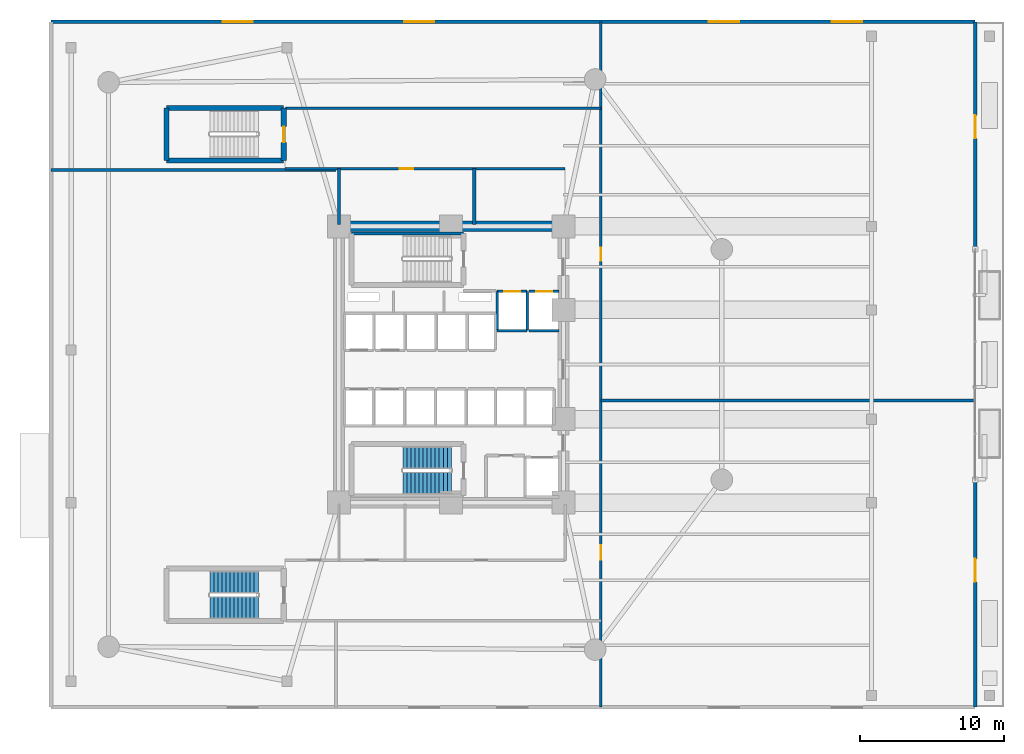
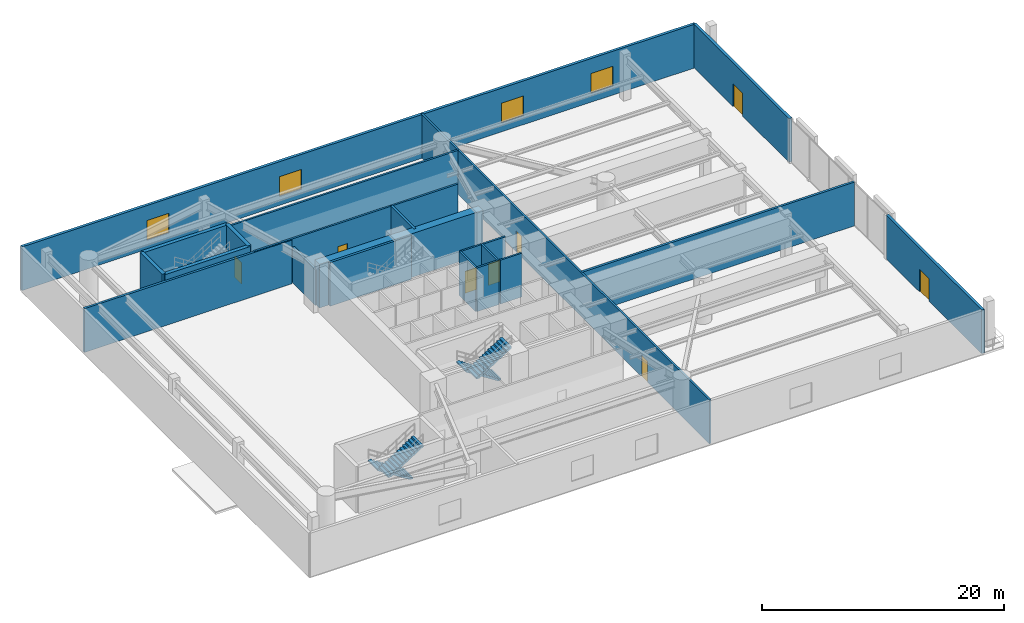
# One storey, part 7 of 11: 22 walls, 8 doors, 4 stair flights, 4 windows, 12 openings, 2 elements without a shape of their own.
"""IFC4 building model written with IfcOpenShell, lengths in metres."""

import ifcopenshell
import ifcopenshell.guid

model = None  # the IFC model being written
_history = None  # IfcOwnerHistory: only IFC2X3 demands one
_inside = {}  # id of a spatial element -> (the spatial element, [elements in it])
_under = {}  # id of a project, library or spatial element -> (it, [spatial elements below it])
_declared = {}  # id of a project -> (the project, [libraries it declares])
_typed = {}  # id of a type object -> (the type object, [elements of that type])
_made_of = {}  # id of a material, layer set ... -> (it, [elements and type objects made of it])


def new_model(schema):
    """Start an empty IFC model of exactly this schema.

    Asked for "IFC4X3", IfcOpenShell would pick the latest addendum, in which some entities
    have other attributes; the version numbers below select the first issue.
    IFC2X3 requires an IfcOwnerHistory on every rooted entity: one is made here for all.
    """
    global model, _history
    if schema == "IFC4X3":
        model = ifcopenshell.file(schema_version=(4, 3, 0, 0))
    else:
        model = ifcopenshell.file(schema=schema)
    _inside.clear()
    _under.clear()
    _declared.clear()
    _typed.clear()
    _made_of.clear()
    _history = None
    if model.schema == "IFC2X3":
        org = make("IfcOrganization", Name="unknown")
        user = make(
            "IfcPersonAndOrganization",
            ThePerson=make("IfcPerson", FamilyName="unknown"),
            TheOrganization=org,
        )
        app = make(
            "IfcApplication",
            ApplicationDeveloper=org,
            Version="unknown",
            ApplicationFullName="unknown",
            ApplicationIdentifier="unknown",
        )
        _history = make(
            "IfcOwnerHistory",
            OwningUser=user,
            OwningApplication=app,
            ChangeAction="ADDED",
            CreationDate=0,
        )
    return model


def make(cls, **values):
    """One entity of the class cls with the attributes given. An attribute that is None is left unset."""
    return model.create_entity(
        cls, **{name: value for name, value in values.items() if value is not None}
    )


def rooted(cls, **values):
    """An entity with a GlobalId (a new one), such as an element, a storey or a relation."""
    return make(cls, GlobalId=ifcopenshell.guid.new(), OwnerHistory=_history, **values)


def si_unit(unit_type, name, prefix=None):
    """IfcSIUnit, for example si_unit("LENGTHUNIT", "METRE", prefix="MILLI")."""
    return make("IfcSIUnit", UnitType=unit_type, Prefix=prefix, Name=name)


def assignment(units):
    """IfcUnitAssignment: the units of a project."""
    return None if units is None else make("IfcUnitAssignment", Units=units)


def point(xyz):
    """IfcCartesianPoint."""
    return None if xyz is None else make("IfcCartesianPoint", Coordinates=xyz)


def direction(xyz):
    """IfcDirection."""
    return None if xyz is None else make("IfcDirection", DirectionRatios=xyz)


def frame(location, z_axis=None, x_axis=None):
    """IfcAxis2Placement3D, a coordinate frame: its origin and axes. An axis left out is left unset."""
    return make(
        "IfcAxis2Placement3D",
        Location=point(location),
        Axis=direction(z_axis),
        RefDirection=direction(x_axis),
    )


def frame_2d(location, x_axis=None):
    """IfcAxis2Placement2D, a coordinate frame in the plane: its origin and x axis."""
    return make(
        "IfcAxis2Placement2D", Location=point(location), RefDirection=direction(x_axis)
    )


def origin():
    """The frame at (0, 0, 0) with its axes left unset."""
    return frame((0.0, 0.0, 0.0))


def place(relative_to, where):
    """IfcLocalPlacement: puts the frame where relative to a parent placement (None: the world)."""
    return make(
        "IfcLocalPlacement", PlacementRelTo=relative_to, RelativePlacement=where
    )


def context(
    kind, dimensions, precision=None, world=None, true_north=None, identifier=None
):
    """IfcGeometricRepresentationContext, for example the 3D "Model" context."""
    return make(
        "IfcGeometricRepresentationContext",
        ContextIdentifier=identifier,
        ContextType=kind,
        CoordinateSpaceDimension=dimensions,
        Precision=precision,
        WorldCoordinateSystem=world,
        TrueNorth=true_north,
    )


def subcontext(parent, identifier, kind, view, scale=None):
    """IfcGeometricRepresentationSubContext, for example "Body" below "Model"."""
    return make(
        "IfcGeometricRepresentationSubContext",
        ContextIdentifier=identifier,
        ContextType=kind,
        ParentContext=parent,
        TargetScale=scale,
        TargetView=view,
    )


def project(units=None, contexts=None):
    """IfcProject with its units and contexts."""
    return rooted(
        "IfcProject",
        Name="project",
        RepresentationContexts=contexts,
        UnitsInContext=assignment(units),
    )


def spatial(cls, under=None, at=None, **own):
    """A site, building, storey or space (cls), placed at a placement, below another one or the project."""
    s = rooted(cls, ObjectPlacement=at, **own)
    if under is not None:
        _under.setdefault(under.id(), (under, []))[1].append(s)
    return s


def polyline(points):
    """IfcPolyline through the points."""
    return make("IfcPolyline", Points=[point(p) for p in points])


def profile(cls, at=None, kind="AREA", **sizes):
    """A parametric profile (cls). Its sizes go by their IFC names, for example OverallWidth=200.0."""
    return make(cls, ProfileType=kind, Position=at, **sizes)


def rectangle(**sizes):
    """IfcRectangleProfileDef."""
    return profile("IfcRectangleProfileDef", **sizes)


def outline(outer, holes=None, kind="AREA"):
    """IfcArbitraryClosedProfileDef: a profile drawn as a closed curve; with holes, ...WithVoids."""
    if holes is None:
        return make("IfcArbitraryClosedProfileDef", ProfileType=kind, OuterCurve=outer)
    return make(
        "IfcArbitraryProfileDefWithVoids",
        ProfileType=kind,
        OuterCurve=outer,
        InnerCurves=holes,
    )


def extrude(swept, where, along, depth):
    """IfcExtrudedAreaSolid: the profile swept, set in the frame where, extruded along a direction by depth."""
    return make(
        "IfcExtrudedAreaSolid",
        SweptArea=swept,
        Position=where,
        ExtrudedDirection=direction(along),
        Depth=depth,
    )


def shape(context_of_items, identifier, shape_type, items):
    """IfcShapeRepresentation: the items that make up one representation, for example the "Body"."""
    return make(
        "IfcShapeRepresentation",
        ContextOfItems=context_of_items,
        RepresentationIdentifier=identifier,
        RepresentationType=shape_type,
        Items=items,
    )


def material(Name=None, Category=None):
    """IfcMaterial."""
    return make("IfcMaterial", Name=Name, Category=Category)


def layer(
    of_material, thickness, ventilated=None, Name=None, Category=None, Priority=None
):
    """IfcMaterialLayer: one layer of a wall or slab, of a material (None: an air gap)."""
    return make(
        "IfcMaterialLayer",
        Material=of_material,
        LayerThickness=thickness,
        IsVentilated=ventilated,
        Name=Name,
        Category=Category,
        Priority=Priority,
    )


def layer_set(layers, Name=None):
    """IfcMaterialLayerSet."""
    return make("IfcMaterialLayerSet", MaterialLayers=layers, LayerSetName=Name)


def made_of(thing, what):
    """Note that an element or type object is made of a material, layer set ...; save() writes the relation."""
    if what is not None:
        _made_of.setdefault(what.id(), (what, []))[1].append(thing)
    return thing


def type_object(cls, material=None, **own):
    """A type object (cls), such as IfcWallType, which elements share."""
    return made_of(rooted(cls, **own), material)


def element(
    cls,
    number,
    at=None,
    inside=None,
    cuts=None,
    type_object=None,
    material=None,
    context=None,
    identifier="Body",
    shape_type=None,
    held_by="IfcProductDefinitionShape",
    body=None,
    shapes=None,
    **own,
):
    """One element of the class cls, such as IfcWall. Its Tag is "e" and its number.

    at: its placement. inside: the storey or other place that contains it. cuts: it is an
    opening in that element (IfcRelVoidsElement). A single representation is given by context,
    identifier, shape_type and body (its items); several are given by shapes. held_by: the class
    of the entity that holds the representations. save() writes the other relations.
    """
    e = rooted(cls, Tag="e%d" % number, ObjectPlacement=at, **own)
    if body is not None:
        shapes = [shape(context, identifier, shape_type, body)]
    if shapes is not None:
        e.Representation = make(held_by, Representations=shapes)
    if inside is not None:
        _inside.setdefault(inside.id(), (inside, []))[1].append(e)
    if cuts is not None:
        rooted(
            "IfcRelVoidsElement", RelatingBuildingElement=cuts, RelatedOpeningElement=e
        )
    if type_object is not None:
        _typed.setdefault(type_object.id(), (type_object, []))[1].append(e)
    return made_of(e, material)


def fill(opening, filler):
    """IfcRelFillsElement: the door or window that sits in an opening."""
    return rooted(
        "IfcRelFillsElement",
        RelatingOpeningElement=opening,
        RelatedBuildingElement=filler,
    )


def aggregate(whole, parts):
    """IfcRelAggregates: a whole, such as a stair, and the parts it consists of."""
    return rooted("IfcRelAggregates", RelatingObject=whole, RelatedObjects=parts)


def save(model, path):
    """Write the relations noted so far, then the file.

    IfcRelAggregates (storeys below a building ...), IfcRelContainedInSpatialStructure (elements
    in a storey), IfcRelDefinesByType, IfcRelAssociatesMaterial and IfcRelDeclares: one each for
    every whole, place, type object, material and project.
    """
    for whole, parts in _under.values():
        aggregate(whole, parts)
    for where, things in _inside.values():
        rooted(
            "IfcRelContainedInSpatialStructure",
            RelatedElements=things,
            RelatingStructure=where,
        )
    for kind, things in _typed.values():
        rooted("IfcRelDefinesByType", RelatedObjects=things, RelatingType=kind)
    for what, things in _made_of.values():
        rooted("IfcRelAssociatesMaterial", RelatedObjects=things, RelatingMaterial=what)
    for by, libraries in _declared.values():
        rooted("IfcRelDeclares", RelatingContext=by, RelatedDefinitions=libraries)
    model.write(path)


model = new_model("IFC4")

# Units and contexts
model_context = context("Model", 3, precision=1e-05, world=origin(), true_north=direction((0.0, 1.0)))
body_context = subcontext(model_context, "Body", "Model", "MODEL_VIEW")
ifc_project = project(units=[si_unit("LENGTHUNIT", "METRE"), si_unit("AREAUNIT", "SQUARE_METRE"), si_unit("VOLUMEUNIT", "CUBIC_METRE"), si_unit("PLANEANGLEUNIT", "RADIAN"), si_unit("MASSUNIT", "GRAM", prefix="KILO")], contexts=[model_context])

# Site, building, storey
site_placement = place(None, origin())
site = spatial("IfcSite", under=ifc_project, at=site_placement, CompositionType="ELEMENT")
building_placement = place(site_placement, origin())
building = spatial("IfcBuilding", under=site, at=building_placement, Name="An Khanh Terracotta Commons", CompositionType="ELEMENT")
storey_placement = place(building_placement, frame((0.0, 0.0, 19.35009765625)))
storey = spatial("IfcBuildingStorey", under=building, at=storey_placement, Name="L05", CompositionType="ELEMENT", Elevation=19.35009765625)

# Wall
ifc_material_1 = material(Name="Concrete C70/85", Category="concrete")
ifc_layer_1 = layer(ifc_material_1, 0.75, Name="Concrete C70/85")
ifc_layer_set_1 = layer_set([ifc_layer_1], Name="Concrete C70/85")
wall_type_1 = type_object("IfcWallType", Name="WALL-CORE-750", PredefinedType="SHEAR", material=ifc_layer_set_1)
wall_1_placement = place(storey_placement, frame((21.60009765625, 33.60009765625, 0.0), z_axis=(0.0, 0.0, 1.0), x_axis=(1.0, 0.0, 0.0)))
element("IfcWall", 1, at=wall_1_placement, inside=storey, type_object=wall_type_1, Name="L05 Core Wall CWALL-L05-N", PredefinedType="SHEAR", context=body_context, shape_type="SweptSolid", body=[
    extrude(rectangle(XDim=15.599853515625, YDim=0.75, at=frame_2d((7.7998046875, 0.0))), origin(), (0.0, 0.0, 1.0), 4.409912109375),
])

# Wall, opening, door
ifc_material_2 = material(Name="Fire-Rated Gypsum Board on Steel Stud", Category="steel")
ifc_layer_2 = layer(ifc_material_2, 0.179931640625, Name="Fire-Rated Gypsum Board on Steel Stud")
ifc_layer_set_2 = layer_set([ifc_layer_2], Name="Fire-Rated Gypsum Board on Steel Stud")
wall_type_2 = type_object("IfcWallType", Name="WALL-CORR-180", PredefinedType="PARTITIONING", material=ifc_layer_set_2)
wall_2_placement = place(storey_placement, frame((32.60009765625, 29.080078125, 0.0), z_axis=(0.0, 0.0, 1.0), x_axis=(1.0, 0.0, 0.0)))
wall_2 = element("IfcWall", 2, at=wall_2_placement, inside=storey, type_object=wall_type_2, Name="L05 Core Wall LSH-L05-FFL-01-N", PredefinedType="PARTITIONING", context=body_context, shape_type="SweptSolid", body=[
    extrude(rectangle(XDim=2.079833984375, YDim=0.179931640625, at=frame_2d((1.0400390625, 0.0))), origin(), (0.0, 0.0, 1.0), 4.409912109375),
])
opening_1_placement = place(wall_2_placement, frame((0.489990234375, 0.0, 0.0)))
opening_1 = element("IfcOpeningElement", 3, at=opening_1_placement, cuts=wall_2, Name="Opening LD-FFL-01-L05", PredefinedType="OPENING", context=body_context, shape_type="SweptSolid", body=[
    extrude(rectangle(XDim=1.10009765625, YDim=2.199951171875, at=frame_2d((0.550048828125, 1.10009765625))), frame((0.0, 0.099853515625, 0.0), z_axis=(0.0, -1.0, 0.0), x_axis=(1.0, 0.0, 0.0)), (0.0, 0.0, 1.0), 0.199951171875),
])
ifc_material_3 = material(Name="Brushed Stainless Steel Fire Landing Door", Category="steel")
door_type_1 = type_object("IfcDoorType", Name="DOOR-LD-FFL-1100", OperationType="NOTDEFINED", PredefinedType="DOOR", material=ifc_material_3)
door_1_placement = place(opening_1_placement, origin())
door_1 = element("IfcDoor", 4, at=door_1_placement, inside=storey, type_object=door_type_1, Name="L05 Lift FFL-01 Sliding Landing Door", OperationType="DOUBLE_DOOR_SLIDING", OverallHeight=2.199951171875, OverallWidth=1.10009765625, PredefinedType="DOOR", context=body_context, shape_type="SweptSolid", body=[
    extrude(rectangle(XDim=1.10009765625, YDim=2.199951171875, at=frame_2d((0.550048828125, 1.10009765625))), frame((0.0, 0.02490234375, 0.0), z_axis=(0.0, -1.0, 0.0), x_axis=(1.0, 0.0, 0.0)), (0.0, 0.0, 1.0), 0.050048828125),
])
fill(opening_1, door_1)

# Walls
wall_3_placement = place(storey_placement, frame((34.679931640625, 26.35009765625, 0.0), z_axis=(0.0, 0.0, 1.0), x_axis=(-1.0, 0.0, 0.0)))
element("IfcWall", 5, at=wall_3_placement, inside=storey, type_object=wall_type_2, Name="L05 Core Wall LSH-L05-FFL-01-S", PredefinedType="PARTITIONING", context=body_context, shape_type="SweptSolid", body=[
    extrude(rectangle(XDim=2.079833984375, YDim=0.179931640625, at=frame_2d((1.0400390625, 0.0))), origin(), (0.0, 0.0, 1.0), 4.409912109375),
])
for number, where, z_axis, x_axis, name in (
    (6, (34.679931640625, 26.35009765625, 0.0), (0.0, 0.0, 1.0), (0.0, 1.0, 0.0), "L05 Core Wall LSH-L05-FFL-01-E"),
    (7, (32.60009765625, 29.080078125, 0.0), (0.0, 0.0, 1.0), (0.0, -1.0, 0.0), "L05 Core Wall LSH-L05-FFL-01-W"),
):
    element("IfcWall", number, at=place(storey_placement, frame(where, z_axis=z_axis, x_axis=x_axis)), inside=storey, type_object=wall_type_2, Name=name, PredefinedType="PARTITIONING", context=body_context, shape_type="SweptSolid", body=[
        extrude(rectangle(XDim=2.72998046875, YDim=0.179931640625, at=frame_2d((1.364990234375, 0.0))), origin(), (0.0, 0.0, 1.0), 4.409912109375),
    ])

# Wall, opening, door
wall_4_placement = place(storey_placement, frame((34.820068359375, 29.080078125, 0.0), z_axis=(0.0, 0.0, 1.0), x_axis=(1.0, 0.0, 0.0)))
wall_4 = element("IfcWall", 8, at=wall_4_placement, inside=storey, type_object=wall_type_2, Name="L05 Core Wall LSH-L05-FFL-02-N", PredefinedType="PARTITIONING", context=body_context, shape_type="SweptSolid", body=[
    extrude(rectangle(XDim=2.079833984375, YDim=0.179931640625, at=frame_2d((1.0400390625, 0.0))), origin(), (0.0, 0.0, 1.0), 4.409912109375),
])
opening_2_placement = place(wall_4_placement, frame((0.489990234375, 0.0, 0.0)))
opening_2 = element("IfcOpeningElement", 9, at=opening_2_placement, cuts=wall_4, Name="Opening LD-FFL-02-L05", PredefinedType="OPENING", context=body_context, shape_type="SweptSolid", body=[
    extrude(rectangle(XDim=1.10009765625, YDim=2.199951171875, at=frame_2d((0.550048828125, 1.10009765625))), frame((0.0, 0.099853515625, 0.0), z_axis=(0.0, -1.0, 0.0), x_axis=(1.0, 0.0, 0.0)), (0.0, 0.0, 1.0), 0.199951171875),
])
door_2_placement = place(opening_2_placement, origin())
door_2 = element("IfcDoor", 10, at=door_2_placement, inside=storey, type_object=door_type_1, Name="L05 Lift FFL-02 Sliding Landing Door", OperationType="DOUBLE_DOOR_SLIDING", OverallHeight=2.199951171875, OverallWidth=1.10009765625, PredefinedType="DOOR", context=body_context, shape_type="SweptSolid", body=[
    extrude(rectangle(XDim=1.10009765625, YDim=2.199951171875, at=frame_2d((0.550048828125, 1.10009765625))), frame((0.0, 0.02490234375, 0.0), z_axis=(0.0, -1.0, 0.0), x_axis=(1.0, 0.0, 0.0)), (0.0, 0.0, 1.0), 0.050048828125),
])
fill(opening_2, door_2)

# Wall
wall_5_placement = place(storey_placement, frame((36.89990234375, 26.35009765625, 0.0), z_axis=(0.0, 0.0, 1.0), x_axis=(-1.0, 0.0, 0.0)))
element("IfcWall", 11, at=wall_5_placement, inside=storey, type_object=wall_type_2, Name="L05 Core Wall LSH-L05-FFL-02-S", PredefinedType="PARTITIONING", context=body_context, shape_type="SweptSolid", body=[
    extrude(rectangle(XDim=2.079833984375, YDim=0.179931640625, at=frame_2d((1.0400390625, 0.0))), origin(), (0.0, 0.0, 1.0), 4.409912109375),
])

# Wall, opening, door
wall_6_placement = place(storey_placement, frame((17.85009765625, 37.60009765625, 0.0), z_axis=(0.0, 0.0, 1.0), x_axis=(1.0, 0.0, 0.0)))
wall_6 = element("IfcWall", 12, at=wall_6_placement, inside=storey, type_object=wall_type_2, Name="L05 Interior Partition IW-L05-E005", PredefinedType="PARTITIONING", context=body_context, shape_type="SweptSolid", body=[
    extrude(rectangle(XDim=19.449951171875, YDim=0.179931640625, at=frame_2d((9.72509765625, 0.0))), origin(), (0.0, 0.0, 1.0), 4.409912109375),
])
opening_3_placement = place(wall_6_placement, frame((7.989990234375, 0.0, 0.0)))
opening_3 = element("IfcOpeningElement", 13, at=opening_3_placement, cuts=wall_6, Name="Opening D-RM", PredefinedType="OPENING", context=body_context, shape_type="SweptSolid", body=[
    extrude(rectangle(XDim=0.919921875, YDim=2.10009765625, at=frame_2d((0.4599609375, 1.050048828125))), frame((0.0, 0.099853515625, 0.0), z_axis=(0.0, -1.0, 0.0), x_axis=(1.0, 0.0, 0.0)), (0.0, 0.0, 1.0), 0.199951171875),
])
ifc_material_4 = material(Name="Engineered Hardwood Timber Leaf", Category="wood")
door_type_2 = type_object("IfcDoorType", Name="DOOR-INT-920", OperationType="NOTDEFINED", PredefinedType="DOOR", material=ifc_material_4)
door_3_placement = place(opening_3_placement, origin())
door_3 = element("IfcDoor", 14, at=door_3_placement, inside=storey, type_object=door_type_2, Name="L05 STR Podium Equipment and Copy Store Door", OperationType="SINGLE_SWING_RIGHT", OverallHeight=2.10009765625, OverallWidth=0.919921875, PredefinedType="DOOR", context=body_context, shape_type="SweptSolid", body=[
    extrude(rectangle(XDim=0.919921875, YDim=2.10009765625, at=frame_2d((0.4599609375, 1.050048828125))), frame((0.0, 0.02490234375, 0.0), z_axis=(0.0, -1.0, 0.0), x_axis=(1.0, 0.0, 0.0)), (0.0, 0.0, 1.0), 0.050048828125),
])
fill(opening_3, door_3)

# Wall
wall_7_placement = place(storey_placement, frame((17.889892578125, 41.800048828125, 0.0), z_axis=(0.0, 0.0, 1.0), x_axis=(1.0, 0.0, 0.0)))
element("IfcWall", 15, at=wall_7_placement, inside=storey, type_object=wall_type_2, Name="L05 Interior Partition IW-L05-E006", PredefinedType="PARTITIONING", context=body_context, shape_type="SweptSolid", body=[
    extrude(rectangle(XDim=21.91015625, YDim=0.179931640625, at=frame_2d((10.955078125, 0.0))), origin(), (0.0, 0.0, 1.0), 4.409912109375),
])

# Wall, openings, doors
wall_8_placement = place(storey_placement, frame((39.800048828125, 0.199951171875, 0.0), z_axis=(0.0, 0.0, 1.0), x_axis=(0.0, 1.0, 0.0)))
wall_8 = element("IfcWall", 16, at=wall_8_placement, inside=storey, type_object=wall_type_2, Name="L05 Interior Partition IW-L05-E013", PredefinedType="PARTITIONING", context=body_context, shape_type="SweptSolid", body=[
    extrude(rectangle(XDim=47.60009765625, YDim=0.179931640625, at=frame_2d((23.800048828125, 0.0))), origin(), (0.0, 0.0, 1.0), 4.409912109375),
])
opening_4_placement = place(wall_8_placement, frame((10.22998046875, 0.0, 0.0)))
opening_4 = element("IfcOpeningElement", 17, at=opening_4_placement, cuts=wall_8, Name="Opening D-UN", PredefinedType="OPENING", context=body_context, shape_type="SweptSolid", body=[
    extrude(rectangle(XDim=1.0, YDim=2.14990234375, at=frame_2d((0.5, 1.074951171875))), frame((0.0, 0.099853515625, 0.0), z_axis=(0.0, -1.0, 0.0), x_axis=(1.0, 0.0, 0.0)), (0.0, 0.0, 1.0), 0.199951171875),
])
opening_5_placement = place(wall_8_placement, frame((30.989990234375, 0.0, 0.0)))
opening_5 = element("IfcOpeningElement", 18, at=opening_5_placement, cuts=wall_8, Name="Opening D-RM", PredefinedType="OPENING", context=body_context, shape_type="SweptSolid", body=[
    extrude(rectangle(XDim=0.919921875, YDim=2.10009765625, at=frame_2d((0.4599609375, 1.050048828125))), frame((0.0, 0.099853515625, 0.0), z_axis=(0.0, -1.0, 0.0), x_axis=(1.0, 0.0, 0.0)), (0.0, 0.0, 1.0), 0.199951171875),
])
door_4_placement = place(opening_5_placement, origin())
door_4 = element("IfcDoor", 19, at=door_4_placement, inside=storey, type_object=door_type_2, Name="L05 EXH Terrace Group Exercise Lounge Door", OperationType="SINGLE_SWING_LEFT", OverallHeight=2.10009765625, OverallWidth=0.919921875, PredefinedType="DOOR", context=body_context, shape_type="SweptSolid", body=[
    extrude(rectangle(XDim=0.919921875, YDim=2.10009765625, at=frame_2d((0.4599609375, 1.050048828125))), frame((0.0, 0.02490234375, 0.0), z_axis=(0.0, -1.0, 0.0), x_axis=(1.0, 0.0, 0.0)), (0.0, 0.0, 1.0), 0.050048828125),
])
fill(opening_5, door_4)
ifc_material_5 = material(Name="Solid-Core Hardwood Acoustic Fire Door", Category="wood")
door_type_3 = type_object("IfcDoorType", Name="DOOR-UNIT-1000", OperationType="NOTDEFINED", PredefinedType="DOOR", material=ifc_material_5)
door_5_placement = place(opening_4_placement, origin())
door_5 = element("IfcDoor", 20, at=door_5_placement, inside=storey, type_object=door_type_3, Name="L05 YOG Wellness and Yoga Studio Door", OperationType="SINGLE_SWING_RIGHT", OverallHeight=2.14990234375, OverallWidth=1.0, PredefinedType="DOOR", context=body_context, shape_type="SweptSolid", body=[
    extrude(rectangle(XDim=1.0, YDim=2.14990234375, at=frame_2d((0.5, 1.074951171875))), frame((0.0, 0.02490234375, 0.0), z_axis=(0.0, -1.0, 0.0), x_axis=(1.0, 0.0, 0.0)), (0.0, 0.0, 1.0), 0.050048828125),
])
fill(opening_4, door_5)

# Walls
ifc_material_6 = material(Name="Acoustic Double-Stud Gypsum and Mineral Wool")
ifc_layer_3 = layer(ifc_material_6, 0.219970703125, Name="Acoustic Double-Stud Gypsum and Mineral Wool")
ifc_layer_set_3 = layer_set([ifc_layer_3], Name="Acoustic Double-Stud Gypsum and Mineral Wool")
wall_type_3 = type_object("IfcWallType", Name="WALL-PARTY-220", PredefinedType="PARTITIONING", material=ifc_layer_set_3)
wall_9_placement = place(storey_placement, frame((22.47998046875, 33.110107421875, 0.0), z_axis=(0.0, 0.0, 1.0), x_axis=(1.0, 0.0, 0.0)))
element("IfcWall", 21, at=wall_9_placement, inside=storey, type_object=wall_type_3, Name="L05 Core Wall STW-L05-N-N", PredefinedType="PARTITIONING", context=body_context, shape_type="SweptSolid", body=[
    extrude(rectangle(XDim=7.7900390625, YDim=0.219970703125, at=frame_2d((3.89501953125, 0.0))), origin(), (0.0, 0.0, 1.0), 4.409912109375),
])
wall_10_placement = place(storey_placement, frame((39.800048828125, 21.5, 0.0), z_axis=(0.0, 0.0, 1.0), x_axis=(1.0, 0.0, 0.0)))
element("IfcWall", 22, at=wall_10_placement, inside=storey, type_object=wall_type_3, Name="L05 Interior Partition IW-L05-E003", PredefinedType="PARTITIONING", context=body_context, shape_type="SweptSolid", body=[
    extrude(rectangle(XDim=26.0, YDim=0.219970703125, at=frame_2d((13.0, 0.0))), origin(), (0.0, 0.0, 1.0), 4.409912109375),
])
wall_11_placement = place(storey_placement, frame((1.60009765625, 37.5, 0.0), z_axis=(0.0, 0.0, 1.0), x_axis=(1.0, 0.0, 0.0)))
element("IfcWall", 23, at=wall_11_placement, inside=storey, type_object=wall_type_3, Name="L05 Interior Partition IW-L05-E004", PredefinedType="PARTITIONING", context=body_context, shape_type="SweptSolid", body=[
    extrude(rectangle(XDim=19.7998046875, YDim=0.219970703125, at=frame_2d((9.89990234375, 0.0))), origin(), (0.0, 0.0, 1.0), 4.409912109375),
])
wall_12_placement = place(storey_placement, frame((21.60009765625, 33.719970703125, 0.0), z_axis=(0.0, 0.0, 1.0), x_axis=(0.0, 1.0, 0.0)))
element("IfcWall", 24, at=wall_12_placement, inside=storey, type_object=wall_type_3, Name="L05 Interior Partition IW-L05-E009", PredefinedType="PARTITIONING", context=body_context, shape_type="SweptSolid", body=[
    extrude(rectangle(XDim=3.880126953125, YDim=0.219970703125, at=frame_2d((1.93994140625, 0.0))), origin(), (0.0, 0.0, 1.0), 3.591796875),
])
wall_13_placement = place(storey_placement, frame((31.0, 33.719970703125, 0.0), z_axis=(0.0, 0.0, 1.0), x_axis=(0.0, 1.0, 0.0)))
element("IfcWall", 25, at=wall_13_placement, inside=storey, type_object=wall_type_3, Name="L05 Interior Partition IW-L05-E011", PredefinedType="PARTITIONING", context=body_context, shape_type="SweptSolid", body=[
    extrude(rectangle(XDim=3.880126953125, YDim=0.219970703125, at=frame_2d((1.93994140625, 0.0))), origin(), (0.0, 0.0, 1.0), 4.409912109375),
])

# Wall, openings, windows
ifc_material_7 = material(Name="Concrete C40/50", Category="concrete")
ifc_layer_4 = layer(ifc_material_7, 0.260009765625, Name="Concrete C40/50")
ifc_layer_set_4 = layer_set([ifc_layer_4], Name="Concrete C40/50")
wall_type_4 = type_object("IfcWallType", Name="WALL-POD-260", PredefinedType="SOLIDWALL", material=ifc_layer_set_4)
wall_14_placement = place(storey_placement, frame((1.60009765625, 47.800048828125, 0.0), z_axis=(0.0, 0.0, 1.0), x_axis=(1.0, 0.0, 0.0)))
wall_14 = element("IfcWall", 26, at=wall_14_placement, inside=storey, type_object=wall_type_4, Name="L05 North Exterior Wall", PredefinedType="SOLIDWALL", context=body_context, shape_type="SweptSolid", body=[
    extrude(rectangle(XDim=64.199951171875, YDim=0.260009765625, at=frame_2d((32.10009765625, 0.0))), origin(), (0.0, 0.0, 1.0), 4.409912109375),
])
opening_6_placement = place(wall_14_placement, frame((11.9169921875, 0.0, 0.89990234375)))
opening_6 = element("IfcOpeningElement", 27, at=opening_6_placement, cuts=wall_14, Name="Opening W-09", PredefinedType="OPENING", context=body_context, shape_type="SweptSolid", body=[
    extrude(rectangle(XDim=2.10009765625, YDim=2.0, at=frame_2d((1.050048828125, 1.0))), frame((0.0, 0.139892578125, 0.0), z_axis=(0.0, -1.0, 0.0), x_axis=(1.0, 0.0, 0.0)), (0.0, 0.0, 1.0), 0.280029296875),
])
opening_7_placement = place(wall_14_placement, frame((24.532958984375, 0.0, 0.89990234375)))
opening_7 = element("IfcOpeningElement", 28, at=opening_7_placement, cuts=wall_14, Name="Opening W-09", PredefinedType="OPENING", context=body_context, shape_type="SweptSolid", body=[
    extrude(rectangle(XDim=2.10009765625, YDim=2.0, at=frame_2d((1.050048828125, 1.0))), frame((0.0, 0.139892578125, 0.0), z_axis=(0.0, -1.0, 0.0), x_axis=(1.0, 0.0, 0.0)), (0.0, 0.0, 1.0), 0.280029296875),
])
opening_8_placement = place(wall_14_placement, frame((45.699951171875, 0.0, 0.89990234375)))
opening_8 = element("IfcOpeningElement", 29, at=opening_8_placement, cuts=wall_14, Name="Opening W-09", PredefinedType="OPENING", context=body_context, shape_type="SweptSolid", body=[
    extrude(rectangle(XDim=2.10009765625, YDim=2.0, at=frame_2d((1.050048828125, 1.0))), frame((0.0, 0.139892578125, 0.0), z_axis=(0.0, -1.0, 0.0), x_axis=(1.0, 0.0, 0.0)), (0.0, 0.0, 1.0), 0.280029296875),
])
opening_9_placement = place(wall_14_placement, frame((54.25, 0.0, 0.89990234375)))
opening_9 = element("IfcOpeningElement", 30, at=opening_9_placement, cuts=wall_14, Name="Opening W-09", PredefinedType="OPENING", context=body_context, shape_type="SweptSolid", body=[
    extrude(rectangle(XDim=2.10009765625, YDim=2.0, at=frame_2d((1.050048828125, 1.0))), frame((0.0, 0.139892578125, 0.0), z_axis=(0.0, -1.0, 0.0), x_axis=(1.0, 0.0, 0.0)), (0.0, 0.0, 1.0), 0.280029296875),
])
ifc_material_8 = material(Name="Thermally Broken Aluminium and Low-E Glass", Category="aluminium")
window_type = type_object("IfcWindowType", Name="WIN-POD-2100x2000", PartitioningType="DOUBLE_PANEL_VERTICAL", PredefinedType="WINDOW", material=ifc_material_8)
window_1_placement = place(opening_6_placement, origin())
window_1 = element("IfcWindow", 31, at=window_1_placement, inside=storey, type_object=window_type, Name="L05 North Podium Window 1", OverallHeight=2.0, OverallWidth=2.10009765625, PartitioningType="DOUBLE_PANEL_VERTICAL", PredefinedType="WINDOW", context=body_context, shape_type="SweptSolid", body=[
    extrude(rectangle(XDim=2.10009765625, YDim=2.0, at=frame_2d((1.050048828125, 1.0))), frame((0.0, 0.030029296875, 0.0), z_axis=(0.0, -1.0, 0.0), x_axis=(1.0, 0.0, 0.0)), (0.0, 0.0, 1.0), 0.06005859375),
])
fill(opening_6, window_1)
window_2_placement = place(opening_7_placement, origin())
window_2 = element("IfcWindow", 32, at=window_2_placement, inside=storey, type_object=window_type, Name="L05 North Podium Window 2", OverallHeight=2.0, OverallWidth=2.10009765625, PartitioningType="DOUBLE_PANEL_VERTICAL", PredefinedType="WINDOW", context=body_context, shape_type="SweptSolid", body=[
    extrude(rectangle(XDim=2.10009765625, YDim=2.0, at=frame_2d((1.050048828125, 1.0))), frame((0.0, 0.030029296875, 0.0), z_axis=(0.0, -1.0, 0.0), x_axis=(1.0, 0.0, 0.0)), (0.0, 0.0, 1.0), 0.06005859375),
])
fill(opening_7, window_2)
window_3_placement = place(opening_8_placement, origin())
window_3 = element("IfcWindow", 33, at=window_3_placement, inside=storey, type_object=window_type, Name="L05 North Podium Window 3", OverallHeight=2.0, OverallWidth=2.10009765625, PartitioningType="DOUBLE_PANEL_VERTICAL", PredefinedType="WINDOW", context=body_context, shape_type="SweptSolid", body=[
    extrude(rectangle(XDim=2.10009765625, YDim=2.0, at=frame_2d((1.050048828125, 1.0))), frame((0.0, 0.030029296875, 0.0), z_axis=(0.0, -1.0, 0.0), x_axis=(1.0, 0.0, 0.0)), (0.0, 0.0, 1.0), 0.06005859375),
])
fill(opening_8, window_3)
window_4_placement = place(opening_9_placement, origin())
window_4 = element("IfcWindow", 34, at=window_4_placement, inside=storey, type_object=window_type, Name="L05 North Podium Window 4", OverallHeight=2.0, OverallWidth=2.10009765625, PartitioningType="DOUBLE_PANEL_VERTICAL", PredefinedType="WINDOW", context=body_context, shape_type="SweptSolid", body=[
    extrude(rectangle(XDim=2.10009765625, YDim=2.0, at=frame_2d((1.050048828125, 1.0))), frame((0.0, 0.030029296875, 0.0), z_axis=(0.0, -1.0, 0.0), x_axis=(1.0, 0.0, 0.0)), (0.0, 0.0, 1.0), 0.06005859375),
])
fill(opening_9, window_4)

# Wall, opening, door
wall_15_placement = place(storey_placement, frame((65.800048828125, 16.0, 0.0), z_axis=(0.0, 0.0, 1.0), x_axis=(0.0, -1.0, 0.0)))
wall_15 = element("IfcWall", 35, at=wall_15_placement, inside=storey, type_object=wall_type_4, Name="L05 East Terrace Wall South", PredefinedType="SOLIDWALL", context=body_context, shape_type="SweptSolid", body=[
    extrude(rectangle(XDim=15.800048828125, YDim=0.260009765625, at=frame_2d((7.89990234375, 0.0))), origin(), (0.0, 0.0, 1.0), 4.409912109375),
])
opening_10_placement = place(wall_15_placement, frame((5.5, 0.0, 0.0)))
opening_10 = element("IfcOpeningElement", 36, at=opening_10_placement, cuts=wall_15, Name="Opening D-TER", PredefinedType="OPENING", context=body_context, shape_type="SweptSolid", body=[
    extrude(rectangle(XDim=1.60009765625, YDim=2.300048828125, at=frame_2d((0.800048828125, 1.14990234375))), frame((0.0, 0.139892578125, 0.0), z_axis=(0.0, -1.0, 0.0), x_axis=(1.0, 0.0, 0.0)), (0.0, 0.0, 1.0), 0.280029296875),
])
door_type_4 = type_object("IfcDoorType", Name="DOOR-TERR-1600", OperationType="NOTDEFINED", PredefinedType="DOOR", material=ifc_material_8)
door_6_placement = place(opening_10_placement, origin())
door_6 = element("IfcDoor", 37, at=door_6_placement, inside=storey, type_object=door_type_4, Name="L05 South Commons Garden Terrace Door", OperationType="DOUBLE_DOOR_SINGLE_SWING", OverallHeight=2.300048828125, OverallWidth=1.60009765625, PredefinedType="DOOR", context=body_context, shape_type="SweptSolid", body=[
    extrude(rectangle(XDim=1.60009765625, YDim=2.300048828125, at=frame_2d((0.800048828125, 1.14990234375))), frame((0.0, 0.02490234375, 0.0), z_axis=(0.0, -1.0, 0.0), x_axis=(1.0, 0.0, 0.0)), (0.0, 0.0, 1.0), 0.050048828125),
])
fill(opening_10, door_6)

wall_16_placement = place(storey_placement, frame((65.800048828125, 47.800048828125, 0.0), z_axis=(0.0, 0.0, 1.0), x_axis=(0.0, -1.0, 0.0)))
wall_16 = element("IfcWall", 38, at=wall_16_placement, inside=storey, type_object=wall_type_4, Name="L05 East Terrace Wall North", PredefinedType="SOLIDWALL", context=body_context, shape_type="SweptSolid", body=[
    extrude(rectangle(XDim=15.800048828125, YDim=0.260009765625, at=frame_2d((7.89990234375, 0.0))), origin(), (0.0, 0.0, 1.0), 4.409912109375),
])
opening_11_placement = place(wall_16_placement, frame((6.5, 0.0, 0.0)))
opening_11 = element("IfcOpeningElement", 39, at=opening_11_placement, cuts=wall_16, Name="Opening D-TER", PredefinedType="OPENING", context=body_context, shape_type="SweptSolid", body=[
    extrude(rectangle(XDim=1.60009765625, YDim=2.300048828125, at=frame_2d((0.800048828125, 1.14990234375))), frame((0.0, 0.139892578125, 0.0), z_axis=(0.0, -1.0, 0.0), x_axis=(1.0, 0.0, 0.0)), (0.0, 0.0, 1.0), 0.280029296875),
])
door_7_placement = place(opening_11_placement, origin())
door_7 = element("IfcDoor", 40, at=door_7_placement, inside=storey, type_object=door_type_4, Name="L05 North Commons Garden Terrace Door", OperationType="DOUBLE_DOOR_SINGLE_SWING", OverallHeight=2.300048828125, OverallWidth=1.60009765625, PredefinedType="DOOR", context=body_context, shape_type="SweptSolid", body=[
    extrude(rectangle(XDim=1.60009765625, YDim=2.300048828125, at=frame_2d((0.800048828125, 1.14990234375))), frame((0.0, 0.02490234375, 0.0), z_axis=(0.0, -1.0, 0.0), x_axis=(1.0, 0.0, 0.0)), (0.0, 0.0, 1.0), 0.050048828125),
])
fill(opening_11, door_7)

# Walls
ifc_material_9 = material(Name="Concrete C50/60", Category="concrete")
ifc_layer_5 = layer(ifc_material_9, 0.35009765625, Name="Concrete C50/60")
ifc_layer_set_5 = layer_set([ifc_layer_5], Name="Concrete C50/60")
wall_type_5 = type_object("IfcWallType", Name="WALL-SHAFT-350", PredefinedType="SOLIDWALL", material=ifc_layer_set_5)
wall_17_placement = place(storey_placement, frame((9.6298828125, 38.179931640625, 0.0), z_axis=(0.0, 0.0, 1.0), x_axis=(0.0, 1.0, 0.0)))
element("IfcWall", 41, at=wall_17_placement, inside=storey, type_object=wall_type_5, Name="L05 Podium Stair ST-P2 W Wall", PredefinedType="SOLIDWALL", context=body_context, shape_type="SweptSolid", body=[
    extrude(rectangle(XDim=3.64013671875, YDim=0.35009765625, at=frame_2d((1.820068359375, 0.0))), origin(), (0.0, 0.0, 1.0), 4.64990234375),
])
for number, where, z_axis, x_axis, name in (
    (42, (9.6298828125, 41.820068359375, 0.0), (0.0, 0.0, 1.0), (1.0, 0.0, 0.0), "L05 Podium Stair ST-P2 N Wall"),
    (43, (17.77001953125, 38.179931640625, 0.0), (0.0, 0.0, 1.0), (-1.0, 0.0, 0.0), "L05 Podium Stair ST-P2 S Wall"),
):
    element("IfcWall", number, at=place(storey_placement, frame(where, z_axis=z_axis, x_axis=x_axis)), inside=storey, type_object=wall_type_5, Name=name, PredefinedType="SOLIDWALL", context=body_context, shape_type="SweptSolid", body=[
        extrude(rectangle(XDim=8.14013671875, YDim=0.35009765625, at=frame_2d((4.070068359375, 0.0))), origin(), (0.0, 0.0, 1.0), 4.64990234375),
    ])

# Wall, opening, door
wall_18_placement = place(storey_placement, frame((17.77001953125, 38.179931640625, 0.0), z_axis=(0.0, 0.0, 1.0), x_axis=(0.0, 1.0, 0.0)))
wall_18 = element("IfcWall", 44, at=wall_18_placement, inside=storey, type_object=wall_type_5, Name="L05 Podium Stair ST-P2 E Wall", PredefinedType="SOLIDWALL", context=body_context, shape_type="SweptSolid", body=[
    extrude(rectangle(XDim=3.64013671875, YDim=0.35009765625, at=frame_2d((1.820068359375, 0.0))), origin(), (0.0, 0.0, 1.0), 4.64990234375),
])
opening_12_placement = place(wall_18_placement, frame((1.25, 0.0, 0.0)))
opening_12 = element("IfcOpeningElement", 45, at=opening_12_placement, cuts=wall_18, Name="Opening D-ST", PredefinedType="OPENING", context=body_context, shape_type="SweptSolid", body=[
    extrude(rectangle(XDim=1.10009765625, YDim=2.14990234375, at=frame_2d((0.550048828125, 1.074951171875))), frame((0.0, 0.18505859375, 0.0), z_axis=(0.0, -1.0, 0.0), x_axis=(1.0, 0.0, 0.0)), (0.0, 0.0, 1.0), 0.3701171875),
])
ifc_material_10 = material(Name="Fire-Rated Steel Leaf and Frame", Category="steel")
door_type_5 = type_object("IfcDoorType", Name="DOOR-STAIR-1100", OperationType="NOTDEFINED", PredefinedType="DOOR", material=ifc_material_10)
door_8_placement = place(opening_12_placement, origin())
door_8 = element("IfcDoor", 46, at=door_8_placement, inside=storey, type_object=door_type_5, Name="L05 Podium Stair ST-P2 Fire Door", OperationType="SINGLE_SWING_RIGHT", OverallHeight=2.14990234375, OverallWidth=1.10009765625, PredefinedType="DOOR", context=body_context, shape_type="SweptSolid", body=[
    extrude(rectangle(XDim=1.10009765625, YDim=2.14990234375, at=frame_2d((0.550048828125, 1.074951171875))), frame((0.0, 0.02490234375, 0.0), z_axis=(0.0, -1.0, 0.0), x_axis=(1.0, 0.0, 0.0)), (0.0, 0.0, 1.0), 0.050048828125),
])
fill(opening_12, door_8)

# Stair, stair flights
ifc_material_11 = material(Name="Precast concrete C40/50", Category="concrete")
stair_type_1 = type_object("IfcStairType", Name="STAIR-CORE-1550", PredefinedType="HALF_TURN_STAIR", material=ifc_material_11)
stair_1_placement = place(storey_placement, origin())
stair_1 = element("IfcStair", 47, at=stair_1_placement, inside=storey, type_object=stair_type_1, Name="L05 Core Smokeproof Exit Stair ST-02", PredefinedType="HALF_TURN_STAIR")
stair_flight_type_1 = type_object("IfcStairFlightType", Name="FLIGHT-CORE-1550", PredefinedType="STRAIGHT", material=ifc_material_11)
stair_flight_1_placement = place(storey_placement, frame((29.409912109375, 17.52490234375, 0.0), z_axis=(0.0, 0.0, 1.0), x_axis=(-1.0, 0.0, 0.0)))
stair_flight_1 = element("IfcStairFlight", 48, at=stair_flight_1_placement, type_object=stair_flight_type_1, Name="ST-02 flight 1", NumberOfRisers=13, NumberOfTreads=12, PredefinedType="STRAIGHT", RiserHeight=0.178846154, TreadLength=0.28, context=body_context, shape_type="SweptSolid", body=[
    extrude(outline(polyline([(0.0, 0.0), (0.0, 0.178955078125), (0.280029296875, 0.178955078125), (0.280029296875, 0.357666015625), (0.56005859375, 0.357666015625), (0.56005859375, 0.53662109375), (0.840087890625, 0.53662109375), (0.840087890625, 0.71533203125), (1.1201171875, 0.71533203125), (1.1201171875, 0.894287109375), (1.39990234375, 0.894287109375), (1.39990234375, 1.072998046875), (1.679931640625, 1.072998046875), (1.679931640625, 1.251953125), (1.9599609375, 1.251953125), (1.9599609375, 1.4306640625), (2.239990234375, 1.4306640625), (2.239990234375, 1.609619140625), (2.52001953125, 1.609619140625), (2.52001953125, 1.78857421875), (2.800048828125, 1.78857421875), (2.800048828125, 1.96728515625), (3.080078125, 1.96728515625), (3.080078125, 2.146240234375), (3.360107421875, 2.146240234375), (3.360107421875, 2.324951171875), (3.360107421875, 1.96826171875), (0.278564453125, 0.0), (0.0, 0.0)])), frame((0.0, 0.77490234375, 0.0), z_axis=(0.0, -1.0, 0.0), x_axis=(1.0, 0.0, 0.0)), (0.0, 0.0, 1.0), 1.550048828125),
])
stair_flight_2_placement = place(storey_placement, frame((26.050048828125, 15.77490234375, 2.324951171875), z_axis=(0.0, 0.0, 1.0), x_axis=(1.0, 0.0, 0.0)))
stair_flight_2 = element("IfcStairFlight", 49, at=stair_flight_2_placement, type_object=stair_flight_type_1, Name="ST-02 flight 2", NumberOfRisers=13, NumberOfTreads=12, PredefinedType="STRAIGHT", RiserHeight=0.178846154, TreadLength=0.28, context=body_context, shape_type="SweptSolid", body=[
    extrude(outline(polyline([(0.0, 0.0), (0.0, 0.178955078125), (0.280029296875, 0.178955078125), (0.280029296875, 0.357666015625), (0.56005859375, 0.357666015625), (0.56005859375, 0.53662109375), (0.840087890625, 0.53662109375), (0.840087890625, 0.71533203125), (1.1201171875, 0.71533203125), (1.1201171875, 0.894287109375), (1.39990234375, 0.894287109375), (1.39990234375, 1.072998046875), (1.679931640625, 1.072998046875), (1.679931640625, 1.251953125), (1.9599609375, 1.251953125), (1.9599609375, 1.4306640625), (2.239990234375, 1.4306640625), (2.239990234375, 1.609619140625), (2.52001953125, 1.609619140625), (2.52001953125, 1.78857421875), (2.800048828125, 1.78857421875), (2.800048828125, 1.96728515625), (3.080078125, 1.96728515625), (3.080078125, 2.146240234375), (3.360107421875, 2.146240234375), (3.360107421875, 2.324951171875), (3.360107421875, 1.96826171875), (0.278564453125, 0.0), (0.0, 0.0)])), frame((0.0, 0.77490234375, 0.0), z_axis=(0.0, -1.0, 0.0), x_axis=(1.0, 0.0, 0.0)), (0.0, 0.0, 1.0), 1.550048828125),
])
aggregate(stair_1, [stair_flight_1, stair_flight_2])

stair_type_2 = type_object("IfcStairType", Name="STAIR-POD-1550", PredefinedType="HALF_TURN_STAIR", material=ifc_material_7)
stair_2_placement = place(storey_placement, origin())
stair_2 = element("IfcStair", 50, at=stair_2_placement, inside=storey, type_object=stair_type_2, Name="L05 Podium Commons Exit Stair ST-P1", PredefinedType="HALF_TURN_STAIR")
stair_flight_type_2 = type_object("IfcStairFlightType", Name="FLIGHT-POD-1550", PredefinedType="STRAIGHT", material=ifc_material_7)
stair_flight_3_placement = place(storey_placement, frame((16.0, 8.875, 0.0), z_axis=(0.0, 0.0, 1.0), x_axis=(-1.0, 0.0, 0.0)))
stair_flight_3 = element("IfcStairFlight", 51, at=stair_flight_3_placement, type_object=stair_flight_type_2, Name="ST-P1 flight 1", NumberOfRisers=13, NumberOfTreads=12, PredefinedType="STRAIGHT", RiserHeight=0.178846154, TreadLength=0.28, context=body_context, shape_type="SweptSolid", body=[
    extrude(outline(polyline([(0.0, 0.0), (0.0, 0.178955078125), (0.280029296875, 0.178955078125), (0.280029296875, 0.357666015625), (0.56005859375, 0.357666015625), (0.56005859375, 0.53662109375), (0.840087890625, 0.53662109375), (0.840087890625, 0.71533203125), (1.1201171875, 0.71533203125), (1.1201171875, 0.894287109375), (1.39990234375, 0.894287109375), (1.39990234375, 1.072998046875), (1.679931640625, 1.072998046875), (1.679931640625, 1.251953125), (1.9599609375, 1.251953125), (1.9599609375, 1.4306640625), (2.239990234375, 1.4306640625), (2.239990234375, 1.609619140625), (2.52001953125, 1.609619140625), (2.52001953125, 1.78857421875), (2.800048828125, 1.78857421875), (2.800048828125, 1.96728515625), (3.080078125, 1.96728515625), (3.080078125, 2.146240234375), (3.360107421875, 2.146240234375), (3.360107421875, 2.324951171875), (3.360107421875, 1.96826171875), (0.278564453125, 0.0), (0.0, 0.0)])), frame((0.0, 0.77490234375, 0.0), z_axis=(0.0, -1.0, 0.0), x_axis=(1.0, 0.0, 0.0)), (0.0, 0.0, 1.0), 1.550048828125),
])
stair_flight_4_placement = place(storey_placement, frame((12.639892578125, 7.125, 2.324951171875), z_axis=(0.0, 0.0, 1.0), x_axis=(1.0, 0.0, 0.0)))
stair_flight_4 = element("IfcStairFlight", 52, at=stair_flight_4_placement, type_object=stair_flight_type_2, Name="ST-P1 flight 2", NumberOfRisers=13, NumberOfTreads=12, PredefinedType="STRAIGHT", RiserHeight=0.178846154, TreadLength=0.28, context=body_context, shape_type="SweptSolid", body=[
    extrude(outline(polyline([(0.0, 0.0), (0.0, 0.178955078125), (0.280029296875, 0.178955078125), (0.280029296875, 0.357666015625), (0.56005859375, 0.357666015625), (0.56005859375, 0.53662109375), (0.840087890625, 0.53662109375), (0.840087890625, 0.71533203125), (1.1201171875, 0.71533203125), (1.1201171875, 0.894287109375), (1.39990234375, 0.894287109375), (1.39990234375, 1.072998046875), (1.679931640625, 1.072998046875), (1.679931640625, 1.251953125), (1.9599609375, 1.251953125), (1.9599609375, 1.4306640625), (2.239990234375, 1.4306640625), (2.239990234375, 1.609619140625), (2.52001953125, 1.609619140625), (2.52001953125, 1.78857421875), (2.800048828125, 1.78857421875), (2.800048828125, 1.96728515625), (3.080078125, 1.96728515625), (3.080078125, 2.146240234375), (3.360107421875, 2.146240234375), (3.360107421875, 2.324951171875), (3.360107421875, 1.96826171875), (0.278564453125, 0.0), (0.0, 0.0)])), frame((0.0, 0.77490234375, 0.0), z_axis=(0.0, -1.0, 0.0), x_axis=(1.0, 0.0, 0.0)), (0.0, 0.0, 1.0), 1.550048828125),
])
aggregate(stair_2, [stair_flight_3, stair_flight_4])

save(model, "model.ifc")
